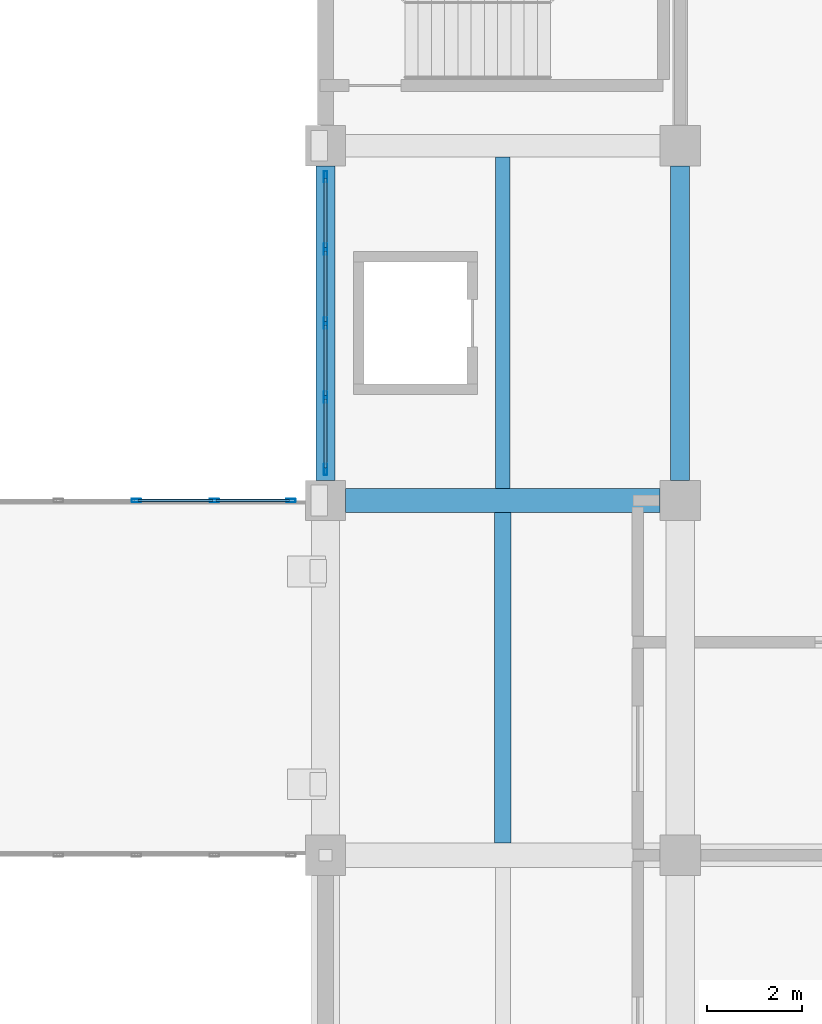
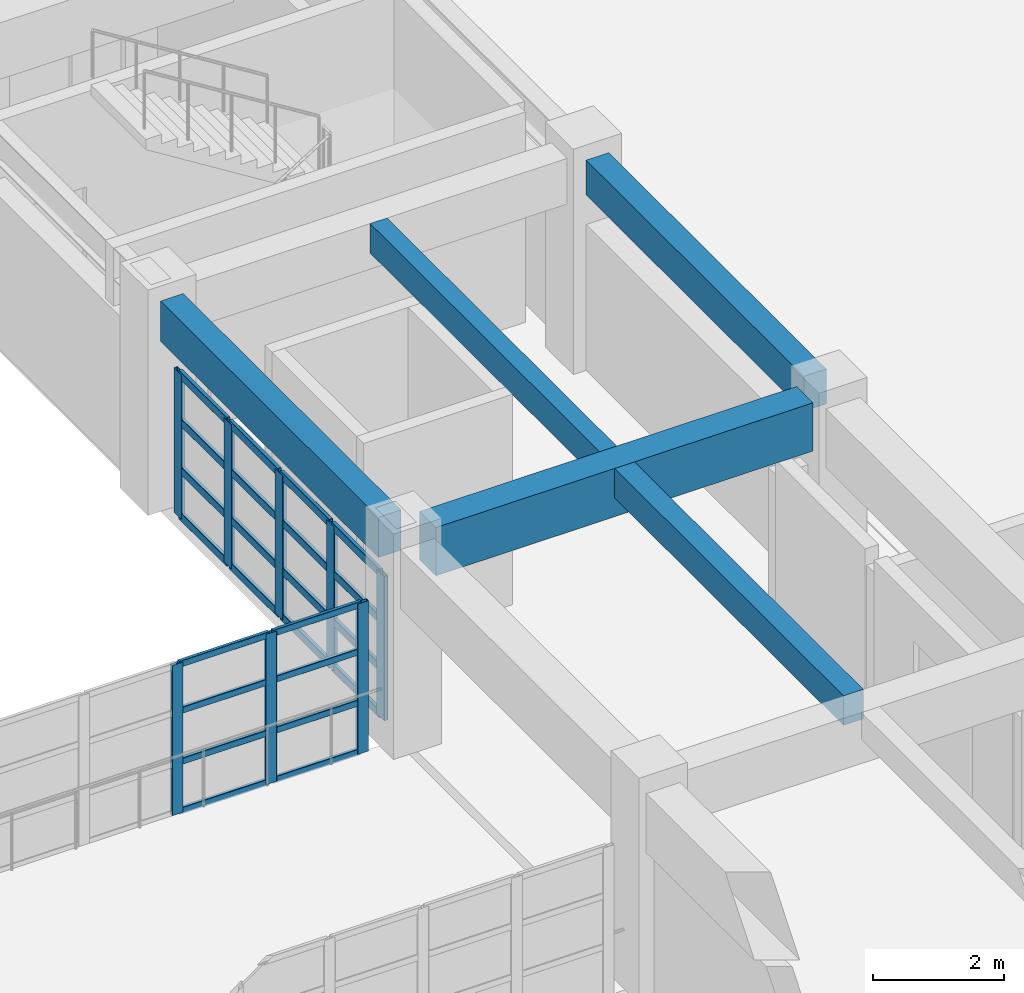
# One storey, part 25 of 132: 32 members, 5 beams, 2 elements without a shape of their own.
"""IFC4 building model written with IfcOpenShell, lengths in metres."""

from ifc_helpers import new_model, si_unit, direction, frame, origin, origin_2d, place, context, subcontext, project, spatial, rectangle, hollow_rectangle, extrude, material, material_profile, profile_set, type_object, element, aggregate, save


model = new_model("IFC4")

# Units and contexts
model_context = context("Model", 3, precision=1e-05, world=origin(), true_north=direction((0.0, 1.0)))
body_context = subcontext(model_context, "Body", "Model", "MODEL_VIEW")
ifc_project = project(units=[si_unit("LENGTHUNIT", "METRE"), si_unit("AREAUNIT", "SQUARE_METRE"), si_unit("VOLUMEUNIT", "CUBIC_METRE"), si_unit("PLANEANGLEUNIT", "RADIAN"), si_unit("MASSUNIT", "GRAM", prefix="KILO")], contexts=[model_context])

# Site, building, storey
site_placement = place(None, origin())
site = spatial("IfcSite", under=ifc_project, at=site_placement, CompositionType="ELEMENT")
building_placement = place(site_placement, origin())
building = spatial("IfcBuilding", under=site, at=building_placement, Name="Qasida Concert Hall", CompositionType="ELEMENT")
storey_placement = place(building_placement, frame((0.0, 0.0, 4.800048828125)))
storey = spatial("IfcBuildingStorey", under=building, at=storey_placement, Name="L01", CompositionType="ELEMENT", Elevation=4.800048828125)

# Beams
ifc_material_1 = material(Name="Concrete C40/50", Category="concrete")
ifc_material_profile_1 = material_profile(ifc_material_1, rectangle(XDim=0.39990234375, YDim=0.64990234375, at=origin_2d()), Name="RC 400x650")
ifc_profile_set_1 = profile_set([ifc_material_profile_1], Name="Concrete C40/50")
beam_type_1 = type_object("IfcBeamType", Name="BM-B1", PredefinedType="BEAM", material=ifc_profile_set_1)
beam_1_placement = place(storey_placement, frame((60.0, 37.925048828125, 3.594970703125), z_axis=(0.0, 1.0, 0.0), x_axis=(-1.0, 0.0, 0.0)))
element("IfcBeam", 1, at=beam_1_placement, inside=storey, type_object=beam_type_1, Name="L01 girder 0804", PredefinedType="BEAM", context=body_context, shape_type="SweptSolid", body=[
    extrude(rectangle(XDim=0.39990234375, YDim=0.64990234375, at=origin_2d()), origin(), (0.0, 0.0, 1.0), 6.64990234375),
])
ifc_material_profile_2 = material_profile(ifc_material_1, rectangle(XDim=0.5, YDim=0.89990234375, at=origin_2d()), Name="RC 500x900")
ifc_profile_set_2 = profile_set([ifc_material_profile_2], Name="Concrete C40/50")
beam_type_2 = type_object("IfcBeamType", Name="BM-G1", PredefinedType="USERDEFINED", material=ifc_profile_set_2)
beam_2_placement = place(storey_placement, frame((52.925048828125, 37.5, 3.469970703125), z_axis=(1.0, 0.0, 0.0), x_axis=(0.0, 1.0, 0.0)))
element("IfcBeam", 2, at=beam_2_placement, inside=storey, type_object=beam_type_2, Name="Primary girder 0774", ObjectType="GIRDER", PredefinedType="USERDEFINED", context=body_context, shape_type="SweptSolid", body=[
    extrude(rectangle(XDim=0.5, YDim=0.89990234375, at=origin_2d()), origin(), (0.0, 0.0, 1.0), 6.64990234375),
])
ifc_material_profile_3 = material_profile(ifc_material_1, rectangle(XDim=0.300048828125, YDim=0.550048828125, at=origin_2d()), Name="RC 300x550")
ifc_profile_set_3 = profile_set([ifc_material_profile_3], Name="Concrete C40/50")
beam_type_3 = type_object("IfcBeamType", Name="BM-J1", PredefinedType="JOIST", material=ifc_profile_set_3)
beam_3_placement = place(storey_placement, frame((56.25, 37.75, 3.64501953125), z_axis=(0.0, 1.0, 0.0), x_axis=(-1.0, 0.0, 0.0)))
element("IfcBeam", 3, at=beam_3_placement, inside=storey, type_object=beam_type_3, Name="L01 secondary joist 0832", PredefinedType="JOIST", context=body_context, shape_type="SweptSolid", body=[
    extrude(rectangle(XDim=0.300048828125, YDim=0.550048828125, at=origin_2d()), origin(), (0.0, 0.0, 1.0), 7.010009765625),
])
ifc_material_profile_4 = material_profile(ifc_material_1, rectangle(XDim=0.35009765625, YDim=0.550048828125, at=origin_2d()), Name="RC 350x550")
ifc_profile_set_4 = profile_set([ifc_material_profile_4], Name="Concrete C40/50")
beam_type_4 = type_object("IfcBeamType", Name="BM-J8", PredefinedType="JOIST", material=ifc_profile_set_4)
beam_4_placement = place(storey_placement, frame((56.25, 30.260009765625, 3.64501953125), z_axis=(0.0, 1.0, 0.0), x_axis=(-1.0, 0.0, 0.0)))
element("IfcBeam", 4, at=beam_4_placement, inside=storey, type_object=beam_type_4, Name="L01 secondary joist 0831", PredefinedType="JOIST", context=body_context, shape_type="SweptSolid", body=[
    extrude(rectangle(XDim=0.35009765625, YDim=0.550048828125, at=origin_2d()), origin(), (0.0, 0.0, 1.0), 6.989990234375),
])
ifc_material_profile_5 = material_profile(ifc_material_1, rectangle(XDim=0.39990234375, YDim=0.75, at=origin_2d()), Name="RC 400x750")
ifc_profile_set_5 = profile_set([ifc_material_profile_5], Name="Concrete C40/50")
beam_type_5 = type_object("IfcBeamType", Name="BM-SP1", PredefinedType="SPANDREL", material=ifc_profile_set_5)
beam_5_placement = place(storey_placement, frame((52.5, 37.925048828125, 3.544921875), z_axis=(0.0, 1.0, 0.0), x_axis=(-1.0, 0.0, 0.0)))
element("IfcBeam", 5, at=beam_5_placement, inside=storey, type_object=beam_type_5, Name="L01 girder 0798", PredefinedType="SPANDREL", context=body_context, shape_type="SweptSolid", body=[
    extrude(rectangle(XDim=0.39990234375, YDim=0.75, at=origin_2d()), origin(), (0.0, 0.0, 1.0), 6.64990234375),
])

# Curtain wall, members
ifc_material_2 = material(Name="Architectural bronze-anodized aluminium and low-E glass", Category="aluminium")
curtain_wall_type_1 = type_object("IfcCurtainWallType", Name="CW-02", PredefinedType="NOTDEFINED", material=ifc_material_2)
curtain_wall_1_placement = place(storey_placement, origin())
curtain_wall_1 = element("IfcCurtainWall", 6, at=curtain_wall_1_placement, inside=storey, type_object=curtain_wall_type_1, Name="L01 curtain wall CW-02 0042", PredefinedType="NOTDEFINED")
ifc_material_3 = material(Name="Architectural bronze-anodized aluminium EN AW-6063", Category="aluminium")
ifc_material_profile_6 = material_profile(ifc_material_3, hollow_rectangle(XDim=0.070068359375, YDim=0.239990234375, WallThickness=0.0048828125, InnerFilletRadius=0.0048828125, OuterFilletRadius=0.010009765625, at=origin_2d()), Name="CWM 240x70x5")
ifc_profile_set_6 = profile_set([ifc_material_profile_6], Name="Architectural bronze-anodized aluminium EN AW-6063")
member_type_1 = type_object("IfcMemberType", Name="MB-CWM-1", PredefinedType="MULLION", material=ifc_profile_set_6)
member_1_placement = place(storey_placement, frame((52.5, 38.155029296875, 0.0), z_axis=(0.0, 0.0, 1.0), x_axis=(-1.0, 0.0, 0.0)))
member_1 = element("IfcMember", 7, at=member_1_placement, type_object=member_type_1, Name="CW-02 mullion 1", PredefinedType="MULLION", context=body_context, shape_type="SweptSolid", body=[
    extrude(hollow_rectangle(XDim=0.070068359375, YDim=0.239990234375, WallThickness=0.0048828125, InnerFilletRadius=0.0048828125, OuterFilletRadius=0.010009765625, at=origin_2d()), origin(), (0.0, 0.0, 1.0), 2.68994140625),
])
member_2_placement = place(storey_placement, frame((52.5, 39.68505859375, 0.0), z_axis=(0.0, 0.0, 1.0), x_axis=(-1.0, 0.0, 0.0)))
member_2 = element("IfcMember", 8, at=member_2_placement, type_object=member_type_1, Name="CW-02 mullion 2", PredefinedType="MULLION", context=body_context, shape_type="SweptSolid", body=[
    extrude(hollow_rectangle(XDim=0.070068359375, YDim=0.239990234375, WallThickness=0.0048828125, InnerFilletRadius=0.0048828125, OuterFilletRadius=0.010009765625, at=origin_2d()), origin(), (0.0, 0.0, 1.0), 2.68994140625),
])
member_3_placement = place(storey_placement, frame((52.5, 41.25, 0.0), z_axis=(0.0, 0.0, 1.0), x_axis=(-1.0, 0.0, 0.0)))
member_3 = element("IfcMember", 9, at=member_3_placement, type_object=member_type_1, Name="CW-02 mullion 3", PredefinedType="MULLION", context=body_context, shape_type="SweptSolid", body=[
    extrude(hollow_rectangle(XDim=0.070068359375, YDim=0.239990234375, WallThickness=0.0048828125, InnerFilletRadius=0.0048828125, OuterFilletRadius=0.010009765625, at=origin_2d()), origin(), (0.0, 0.0, 1.0), 2.68994140625),
])
member_4_placement = place(storey_placement, frame((52.5, 42.81494140625, 0.0), z_axis=(0.0, 0.0, 1.0), x_axis=(-1.0, 0.0, 0.0)))
member_4 = element("IfcMember", 10, at=member_4_placement, type_object=member_type_1, Name="CW-02 mullion 4", PredefinedType="MULLION", context=body_context, shape_type="SweptSolid", body=[
    extrude(hollow_rectangle(XDim=0.070068359375, YDim=0.239990234375, WallThickness=0.0048828125, InnerFilletRadius=0.0048828125, OuterFilletRadius=0.010009765625, at=origin_2d()), origin(), (0.0, 0.0, 1.0), 2.68994140625),
])
member_5_placement = place(storey_placement, frame((52.5, 44.344970703125, 0.0), z_axis=(0.0, 0.0, 1.0), x_axis=(-1.0, 0.0, 0.0)))
member_5 = element("IfcMember", 11, at=member_5_placement, type_object=member_type_1, Name="CW-02 mullion 5", PredefinedType="MULLION", context=body_context, shape_type="SweptSolid", body=[
    extrude(hollow_rectangle(XDim=0.070068359375, YDim=0.239990234375, WallThickness=0.0048828125, InnerFilletRadius=0.0048828125, OuterFilletRadius=0.010009765625, at=origin_2d()), origin(), (0.0, 0.0, 1.0), 2.68994140625),
])

curtain_wall_type_2 = type_object("IfcCurtainWallType", Name="CW-08", PredefinedType="NOTDEFINED", material=ifc_material_2)
curtain_wall_2_placement = place(storey_placement, origin())
curtain_wall_2 = element("IfcCurtainWall", 12, at=curtain_wall_2_placement, inside=storey, type_object=curtain_wall_type_2, Name="L01 link bridge glazing 0201", PredefinedType="NOTDEFINED")
ifc_material_profile_7 = material_profile(ifc_material_3, hollow_rectangle(XDim=0.06494140625, YDim=0.199951171875, WallThickness=0.0048828125, InnerFilletRadius=0.0048828125, OuterFilletRadius=0.010009765625, at=origin_2d()), Name="CWM 200x65x5")
ifc_profile_set_7 = profile_set([ifc_material_profile_7], Name="Architectural bronze-anodized aluminium EN AW-6063")
member_type_2 = type_object("IfcMemberType", Name="MB-CWM-2", PredefinedType="MULLION", material=ifc_profile_set_7)
member_6_placement = place(storey_placement, frame((48.5, 37.5, 0.0), z_axis=(0.0, 0.0, 1.0), x_axis=(0.0, 1.0, 0.0)))
member_6 = element("IfcMember", 13, at=member_6_placement, type_object=member_type_2, Name="CW-08 mullion 3", PredefinedType="MULLION", context=body_context, shape_type="SweptSolid", body=[
    extrude(hollow_rectangle(XDim=0.06494140625, YDim=0.199951171875, WallThickness=0.0048828125, InnerFilletRadius=0.0048828125, OuterFilletRadius=0.010009765625, at=origin_2d()), origin(), (0.0, 0.0, 1.0), 2.800048828125),
])
member_7_placement = place(storey_placement, frame((50.14990234375, 37.5, 0.0), z_axis=(0.0, 0.0, 1.0), x_axis=(0.0, 1.0, 0.0)))
member_7 = element("IfcMember", 14, at=member_7_placement, type_object=member_type_2, Name="CW-08 mullion 4", PredefinedType="MULLION", context=body_context, shape_type="SweptSolid", body=[
    extrude(hollow_rectangle(XDim=0.06494140625, YDim=0.199951171875, WallThickness=0.0048828125, InnerFilletRadius=0.0048828125, OuterFilletRadius=0.010009765625, at=origin_2d()), origin(), (0.0, 0.0, 1.0), 2.800048828125),
])
member_8_placement = place(storey_placement, frame((51.767578125, 37.5, 0.0), z_axis=(0.0, 0.0, 1.0), x_axis=(0.0, 1.0, 0.0)))
member_8 = element("IfcMember", 15, at=member_8_placement, type_object=member_type_2, Name="CW-08 mullion 5", PredefinedType="MULLION", context=body_context, shape_type="SweptSolid", body=[
    extrude(hollow_rectangle(XDim=0.06494140625, YDim=0.199951171875, WallThickness=0.0048828125, InnerFilletRadius=0.0048828125, OuterFilletRadius=0.010009765625, at=origin_2d()), origin(), (0.0, 0.0, 1.0), 2.800048828125),
])

# Member
ifc_material_profile_8 = material_profile(ifc_material_3, hollow_rectangle(XDim=0.06494140625, YDim=0.14990234375, WallThickness=0.00390625, InnerFilletRadius=0.00390625, OuterFilletRadius=0.008056640625, at=origin_2d()), Name="CWT 150x65x4")
ifc_profile_set_8 = profile_set([ifc_material_profile_8], Name="Architectural bronze-anodized aluminium EN AW-6063")
member_type_3 = type_object("IfcMemberType", Name="MB-CWT-1", PredefinedType="USERDEFINED", material=ifc_profile_set_8)
member_9_placement = place(storey_placement, frame((52.5, 38.18994140625, 0.032470703125), z_axis=(0.0, 1.0, 0.0), x_axis=(-1.0, 0.0, 0.0)))
member_9 = element("IfcMember", 16, at=member_9_placement, type_object=member_type_3, Name="CW-02 transom 1.1", ObjectType="TRANSOM", PredefinedType="USERDEFINED", context=body_context, shape_type="SweptSolid", body=[
    extrude(hollow_rectangle(XDim=0.06494140625, YDim=0.14990234375, WallThickness=0.00390625, InnerFilletRadius=0.00390625, OuterFilletRadius=0.008056640625, at=origin_2d()), origin(), (0.0, 0.0, 1.0), 1.4599609375),
])

member_10_placement = place(storey_placement, frame((52.5, 38.18994140625, 0.896728515625), z_axis=(0.0, 1.0, 0.0), x_axis=(-1.0, 0.0, 0.0)))
member_10 = element("IfcMember", 17, at=member_10_placement, type_object=member_type_3, Name="CW-02 transom 1.2", ObjectType="TRANSOM", PredefinedType="USERDEFINED", context=body_context, shape_type="SweptSolid", body=[
    extrude(hollow_rectangle(XDim=0.06494140625, YDim=0.14990234375, WallThickness=0.00390625, InnerFilletRadius=0.00390625, OuterFilletRadius=0.008056640625, at=origin_2d()), origin(), (0.0, 0.0, 1.0), 1.4599609375),
])

member_11_placement = place(storey_placement, frame((52.5, 38.18994140625, 1.793212890625), z_axis=(0.0, 1.0, 0.0), x_axis=(-1.0, 0.0, 0.0)))
member_11 = element("IfcMember", 18, at=member_11_placement, type_object=member_type_3, Name="CW-02 transom 1.3", ObjectType="TRANSOM", PredefinedType="USERDEFINED", context=body_context, shape_type="SweptSolid", body=[
    extrude(hollow_rectangle(XDim=0.06494140625, YDim=0.14990234375, WallThickness=0.00390625, InnerFilletRadius=0.00390625, OuterFilletRadius=0.008056640625, at=origin_2d()), origin(), (0.0, 0.0, 1.0), 1.4599609375),
])

member_12_placement = place(storey_placement, frame((52.5, 38.18994140625, 2.657470703125), z_axis=(0.0, 1.0, 0.0), x_axis=(-1.0, 0.0, 0.0)))
member_12 = element("IfcMember", 19, at=member_12_placement, type_object=member_type_3, Name="CW-02 transom 1.4", ObjectType="TRANSOM", PredefinedType="USERDEFINED", context=body_context, shape_type="SweptSolid", body=[
    extrude(hollow_rectangle(XDim=0.06494140625, YDim=0.14990234375, WallThickness=0.00390625, InnerFilletRadius=0.00390625, OuterFilletRadius=0.008056640625, at=origin_2d()), origin(), (0.0, 0.0, 1.0), 1.4599609375),
])

member_13_placement = place(storey_placement, frame((52.5, 39.719970703125, 0.032470703125), z_axis=(0.0, 1.0, 0.0), x_axis=(-1.0, 0.0, 0.0)))
member_13 = element("IfcMember", 20, at=member_13_placement, type_object=member_type_3, Name="CW-02 transom 2.1", ObjectType="TRANSOM", PredefinedType="USERDEFINED", context=body_context, shape_type="SweptSolid", body=[
    extrude(hollow_rectangle(XDim=0.06494140625, YDim=0.14990234375, WallThickness=0.00390625, InnerFilletRadius=0.00390625, OuterFilletRadius=0.008056640625, at=origin_2d()), origin(), (0.0, 0.0, 1.0), 1.4951171875),
])

member_14_placement = place(storey_placement, frame((52.5, 39.719970703125, 0.896728515625), z_axis=(0.0, 1.0, 0.0), x_axis=(-1.0, 0.0, 0.0)))
member_14 = element("IfcMember", 21, at=member_14_placement, type_object=member_type_3, Name="CW-02 transom 2.2", ObjectType="TRANSOM", PredefinedType="USERDEFINED", context=body_context, shape_type="SweptSolid", body=[
    extrude(hollow_rectangle(XDim=0.06494140625, YDim=0.14990234375, WallThickness=0.00390625, InnerFilletRadius=0.00390625, OuterFilletRadius=0.008056640625, at=origin_2d()), origin(), (0.0, 0.0, 1.0), 1.4951171875),
])

member_15_placement = place(storey_placement, frame((52.5, 39.719970703125, 1.793212890625), z_axis=(0.0, 1.0, 0.0), x_axis=(-1.0, 0.0, 0.0)))
member_15 = element("IfcMember", 22, at=member_15_placement, type_object=member_type_3, Name="CW-02 transom 2.3", ObjectType="TRANSOM", PredefinedType="USERDEFINED", context=body_context, shape_type="SweptSolid", body=[
    extrude(hollow_rectangle(XDim=0.06494140625, YDim=0.14990234375, WallThickness=0.00390625, InnerFilletRadius=0.00390625, OuterFilletRadius=0.008056640625, at=origin_2d()), origin(), (0.0, 0.0, 1.0), 1.4951171875),
])

member_16_placement = place(storey_placement, frame((52.5, 39.719970703125, 2.657470703125), z_axis=(0.0, 1.0, 0.0), x_axis=(-1.0, 0.0, 0.0)))
member_16 = element("IfcMember", 23, at=member_16_placement, type_object=member_type_3, Name="CW-02 transom 2.4", ObjectType="TRANSOM", PredefinedType="USERDEFINED", context=body_context, shape_type="SweptSolid", body=[
    extrude(hollow_rectangle(XDim=0.06494140625, YDim=0.14990234375, WallThickness=0.00390625, InnerFilletRadius=0.00390625, OuterFilletRadius=0.008056640625, at=origin_2d()), origin(), (0.0, 0.0, 1.0), 1.4951171875),
])

member_17_placement = place(storey_placement, frame((52.5, 41.284912109375, 0.032470703125), z_axis=(0.0, 1.0, 0.0), x_axis=(-1.0, 0.0, 0.0)))
member_17 = element("IfcMember", 24, at=member_17_placement, type_object=member_type_3, Name="CW-02 transom 3.1", ObjectType="TRANSOM", PredefinedType="USERDEFINED", context=body_context, shape_type="SweptSolid", body=[
    extrude(hollow_rectangle(XDim=0.06494140625, YDim=0.14990234375, WallThickness=0.00390625, InnerFilletRadius=0.00390625, OuterFilletRadius=0.008056640625, at=origin_2d()), origin(), (0.0, 0.0, 1.0), 1.4951171875),
])

member_18_placement = place(storey_placement, frame((52.5, 41.284912109375, 0.896728515625), z_axis=(0.0, 1.0, 0.0), x_axis=(-1.0, 0.0, 0.0)))
member_18 = element("IfcMember", 25, at=member_18_placement, type_object=member_type_3, Name="CW-02 transom 3.2", ObjectType="TRANSOM", PredefinedType="USERDEFINED", context=body_context, shape_type="SweptSolid", body=[
    extrude(hollow_rectangle(XDim=0.06494140625, YDim=0.14990234375, WallThickness=0.00390625, InnerFilletRadius=0.00390625, OuterFilletRadius=0.008056640625, at=origin_2d()), origin(), (0.0, 0.0, 1.0), 1.4951171875),
])

member_19_placement = place(storey_placement, frame((52.5, 41.284912109375, 1.793212890625), z_axis=(0.0, 1.0, 0.0), x_axis=(-1.0, 0.0, 0.0)))
member_19 = element("IfcMember", 26, at=member_19_placement, type_object=member_type_3, Name="CW-02 transom 3.3", ObjectType="TRANSOM", PredefinedType="USERDEFINED", context=body_context, shape_type="SweptSolid", body=[
    extrude(hollow_rectangle(XDim=0.06494140625, YDim=0.14990234375, WallThickness=0.00390625, InnerFilletRadius=0.00390625, OuterFilletRadius=0.008056640625, at=origin_2d()), origin(), (0.0, 0.0, 1.0), 1.4951171875),
])

member_20_placement = place(storey_placement, frame((52.5, 41.284912109375, 2.657470703125), z_axis=(0.0, 1.0, 0.0), x_axis=(-1.0, 0.0, 0.0)))
member_20 = element("IfcMember", 27, at=member_20_placement, type_object=member_type_3, Name="CW-02 transom 3.4", ObjectType="TRANSOM", PredefinedType="USERDEFINED", context=body_context, shape_type="SweptSolid", body=[
    extrude(hollow_rectangle(XDim=0.06494140625, YDim=0.14990234375, WallThickness=0.00390625, InnerFilletRadius=0.00390625, OuterFilletRadius=0.008056640625, at=origin_2d()), origin(), (0.0, 0.0, 1.0), 1.4951171875),
])

member_21_placement = place(storey_placement, frame((52.5, 42.85009765625, 0.032470703125), z_axis=(0.0, 1.0, 0.0), x_axis=(-1.0, 0.0, 0.0)))
member_21 = element("IfcMember", 28, at=member_21_placement, type_object=member_type_3, Name="CW-02 transom 4.1", ObjectType="TRANSOM", PredefinedType="USERDEFINED", context=body_context, shape_type="SweptSolid", body=[
    extrude(hollow_rectangle(XDim=0.06494140625, YDim=0.14990234375, WallThickness=0.00390625, InnerFilletRadius=0.00390625, OuterFilletRadius=0.008056640625, at=origin_2d()), origin(), (0.0, 0.0, 1.0), 1.4599609375),
])

member_22_placement = place(storey_placement, frame((52.5, 42.85009765625, 0.896728515625), z_axis=(0.0, 1.0, 0.0), x_axis=(-1.0, 0.0, 0.0)))
member_22 = element("IfcMember", 29, at=member_22_placement, type_object=member_type_3, Name="CW-02 transom 4.2", ObjectType="TRANSOM", PredefinedType="USERDEFINED", context=body_context, shape_type="SweptSolid", body=[
    extrude(hollow_rectangle(XDim=0.06494140625, YDim=0.14990234375, WallThickness=0.00390625, InnerFilletRadius=0.00390625, OuterFilletRadius=0.008056640625, at=origin_2d()), origin(), (0.0, 0.0, 1.0), 1.4599609375),
])

member_23_placement = place(storey_placement, frame((52.5, 42.85009765625, 1.793212890625), z_axis=(0.0, 1.0, 0.0), x_axis=(-1.0, 0.0, 0.0)))
member_23 = element("IfcMember", 30, at=member_23_placement, type_object=member_type_3, Name="CW-02 transom 4.3", ObjectType="TRANSOM", PredefinedType="USERDEFINED", context=body_context, shape_type="SweptSolid", body=[
    extrude(hollow_rectangle(XDim=0.06494140625, YDim=0.14990234375, WallThickness=0.00390625, InnerFilletRadius=0.00390625, OuterFilletRadius=0.008056640625, at=origin_2d()), origin(), (0.0, 0.0, 1.0), 1.4599609375),
])

member_24_placement = place(storey_placement, frame((52.5, 42.85009765625, 2.657470703125), z_axis=(0.0, 1.0, 0.0), x_axis=(-1.0, 0.0, 0.0)))
member_24 = element("IfcMember", 31, at=member_24_placement, type_object=member_type_3, Name="CW-02 transom 4.4", ObjectType="TRANSOM", PredefinedType="USERDEFINED", context=body_context, shape_type="SweptSolid", body=[
    extrude(hollow_rectangle(XDim=0.06494140625, YDim=0.14990234375, WallThickness=0.00390625, InnerFilletRadius=0.00390625, OuterFilletRadius=0.008056640625, at=origin_2d()), origin(), (0.0, 0.0, 1.0), 1.4599609375),
])

aggregate(curtain_wall_1, [member_1, member_2, member_3, member_4, member_5, member_9, member_10, member_11, member_12, member_13, member_14, member_15, member_16, member_17, member_18, member_19, member_20, member_21, member_22, member_23, member_24])

ifc_material_profile_9 = material_profile(ifc_material_3, hollow_rectangle(XDim=0.06005859375, YDim=0.1201171875, WallThickness=0.00390625, InnerFilletRadius=0.00390625, OuterFilletRadius=0.008056640625, at=origin_2d()), Name="CWT 120x60x4")
ifc_profile_set_9 = profile_set([ifc_material_profile_9], Name="Architectural bronze-anodized aluminium EN AW-6063")
member_type_4 = type_object("IfcMemberType", Name="MB-CWT-2", PredefinedType="USERDEFINED", material=ifc_profile_set_9)
member_25_placement = place(storey_placement, frame((48.532470703125, 37.5, 0.030029296875), z_axis=(1.0, 0.0, 0.0), x_axis=(0.0, 1.0, 0.0)))
member_25 = element("IfcMember", 32, at=member_25_placement, type_object=member_type_4, Name="CW-08 transom 3.1", ObjectType="TRANSOM", PredefinedType="USERDEFINED", context=body_context, shape_type="SweptSolid", body=[
    extrude(hollow_rectangle(XDim=0.06005859375, YDim=0.1201171875, WallThickness=0.00390625, InnerFilletRadius=0.00390625, OuterFilletRadius=0.008056640625, at=origin_2d()), origin(), (0.0, 0.0, 1.0), 1.5849609375),
])

member_26_placement = place(storey_placement, frame((48.532470703125, 37.5, 0.949951171875), z_axis=(1.0, 0.0, 0.0), x_axis=(0.0, 1.0, 0.0)))
member_26 = element("IfcMember", 33, at=member_26_placement, type_object=member_type_4, Name="CW-08 transom 3.2", ObjectType="TRANSOM", PredefinedType="USERDEFINED", context=body_context, shape_type="SweptSolid", body=[
    extrude(hollow_rectangle(XDim=0.06005859375, YDim=0.1201171875, WallThickness=0.00390625, InnerFilletRadius=0.00390625, OuterFilletRadius=0.008056640625, at=origin_2d()), origin(), (0.0, 0.0, 1.0), 1.5849609375),
])

member_27_placement = place(storey_placement, frame((48.532470703125, 37.5, 1.89990234375), z_axis=(1.0, 0.0, 0.0), x_axis=(0.0, 1.0, 0.0)))
member_27 = element("IfcMember", 34, at=member_27_placement, type_object=member_type_4, Name="CW-08 transom 3.3", ObjectType="TRANSOM", PredefinedType="USERDEFINED", context=body_context, shape_type="SweptSolid", body=[
    extrude(hollow_rectangle(XDim=0.06005859375, YDim=0.1201171875, WallThickness=0.00390625, InnerFilletRadius=0.00390625, OuterFilletRadius=0.008056640625, at=origin_2d()), origin(), (0.0, 0.0, 1.0), 1.5849609375),
])

member_28_placement = place(storey_placement, frame((48.532470703125, 37.5, 2.77001953125), z_axis=(1.0, 0.0, 0.0), x_axis=(0.0, 1.0, 0.0)))
member_28 = element("IfcMember", 35, at=member_28_placement, type_object=member_type_4, Name="CW-08 transom 3.4", ObjectType="TRANSOM", PredefinedType="USERDEFINED", context=body_context, shape_type="SweptSolid", body=[
    extrude(hollow_rectangle(XDim=0.06005859375, YDim=0.1201171875, WallThickness=0.00390625, InnerFilletRadius=0.00390625, OuterFilletRadius=0.008056640625, at=origin_2d()), origin(), (0.0, 0.0, 1.0), 1.5849609375),
])

member_29_placement = place(storey_placement, frame((50.1826171875, 37.5, 0.030029296875), z_axis=(1.0, 0.0, 0.0), x_axis=(0.0, 1.0, 0.0)))
member_29 = element("IfcMember", 36, at=member_29_placement, type_object=member_type_4, Name="CW-08 transom 4.1", ObjectType="TRANSOM", PredefinedType="USERDEFINED", context=body_context, shape_type="SweptSolid", body=[
    extrude(hollow_rectangle(XDim=0.06005859375, YDim=0.1201171875, WallThickness=0.00390625, InnerFilletRadius=0.00390625, OuterFilletRadius=0.008056640625, at=origin_2d()), origin(), (0.0, 0.0, 1.0), 1.552490234375),
])

member_30_placement = place(storey_placement, frame((50.1826171875, 37.5, 0.949951171875), z_axis=(1.0, 0.0, 0.0), x_axis=(0.0, 1.0, 0.0)))
member_30 = element("IfcMember", 37, at=member_30_placement, type_object=member_type_4, Name="CW-08 transom 4.2", ObjectType="TRANSOM", PredefinedType="USERDEFINED", context=body_context, shape_type="SweptSolid", body=[
    extrude(hollow_rectangle(XDim=0.06005859375, YDim=0.1201171875, WallThickness=0.00390625, InnerFilletRadius=0.00390625, OuterFilletRadius=0.008056640625, at=origin_2d()), origin(), (0.0, 0.0, 1.0), 1.552490234375),
])

member_31_placement = place(storey_placement, frame((50.1826171875, 37.5, 1.89990234375), z_axis=(1.0, 0.0, 0.0), x_axis=(0.0, 1.0, 0.0)))
member_31 = element("IfcMember", 38, at=member_31_placement, type_object=member_type_4, Name="CW-08 transom 4.3", ObjectType="TRANSOM", PredefinedType="USERDEFINED", context=body_context, shape_type="SweptSolid", body=[
    extrude(hollow_rectangle(XDim=0.06005859375, YDim=0.1201171875, WallThickness=0.00390625, InnerFilletRadius=0.00390625, OuterFilletRadius=0.008056640625, at=origin_2d()), origin(), (0.0, 0.0, 1.0), 1.552490234375),
])

member_32_placement = place(storey_placement, frame((50.1826171875, 37.5, 2.77001953125), z_axis=(1.0, 0.0, 0.0), x_axis=(0.0, 1.0, 0.0)))
member_32 = element("IfcMember", 39, at=member_32_placement, type_object=member_type_4, Name="CW-08 transom 4.4", ObjectType="TRANSOM", PredefinedType="USERDEFINED", context=body_context, shape_type="SweptSolid", body=[
    extrude(hollow_rectangle(XDim=0.06005859375, YDim=0.1201171875, WallThickness=0.00390625, InnerFilletRadius=0.00390625, OuterFilletRadius=0.008056640625, at=origin_2d()), origin(), (0.0, 0.0, 1.0), 1.552490234375),
])

aggregate(curtain_wall_2, [member_6, member_7, member_8, member_25, member_26, member_27, member_28, member_29, member_30, member_31, member_32])

save(model, "model.ifc")
